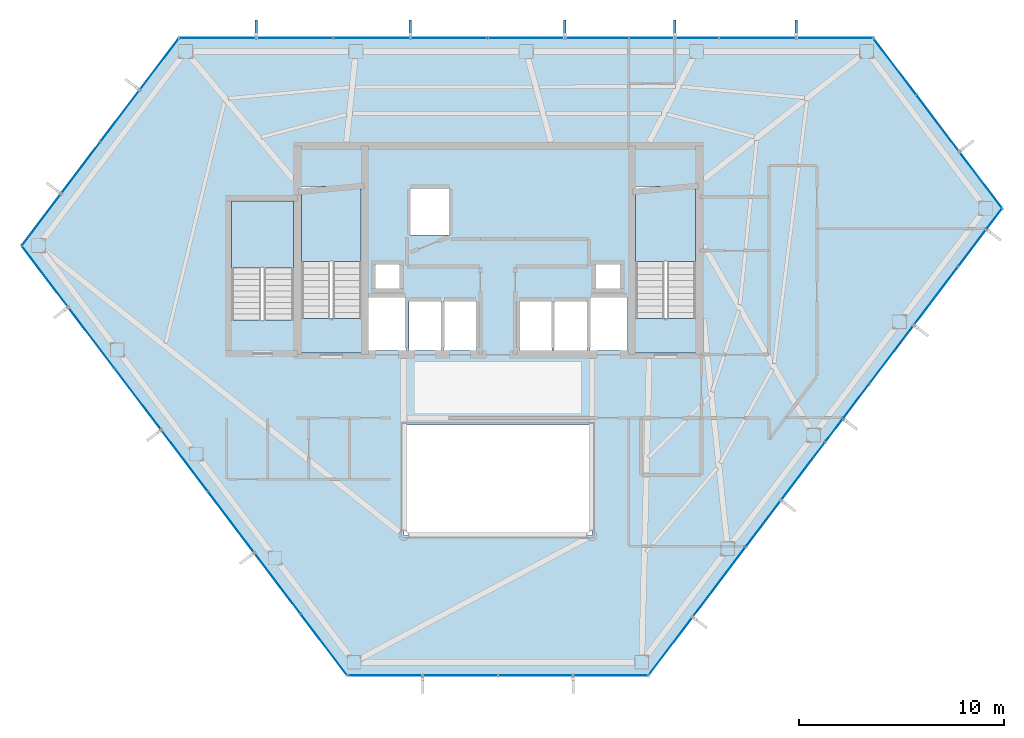
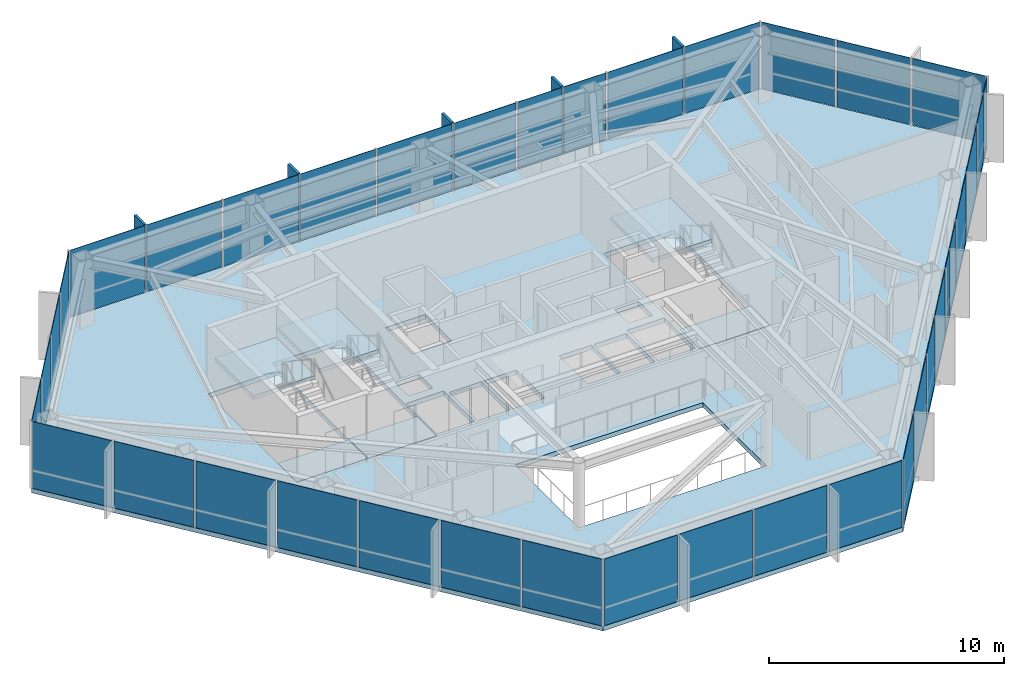
# One storey, part 23 of 27: 38 plates, 7 slabs, 5 members, 9 elements without a shape of their own.
"""IFC4 building model written with IfcOpenShell, lengths in metres."""

from ifc_helpers import new_model, si_unit, direction, frame, origin, origin_2d, place, context, subcontext, project, spatial, polyline, rectangle, outline, extrude, material, layer, layer_set, material_profile, profile_set, type_object, element, aggregate, save


model = new_model("IFC4")

# Units and contexts
model_context = context("Model", 3, precision=1e-05, world=origin(), true_north=direction((0.0, 1.0)))
body_context = subcontext(model_context, "Body", "Model", "MODEL_VIEW")
ifc_project = project(units=[si_unit("LENGTHUNIT", "METRE"), si_unit("AREAUNIT", "SQUARE_METRE"), si_unit("VOLUMEUNIT", "CUBIC_METRE"), si_unit("PLANEANGLEUNIT", "RADIAN"), si_unit("MASSUNIT", "GRAM", prefix="KILO")], contexts=[model_context])

# Site, building, storey
site_placement = place(None, origin())
site = spatial("IfcSite", under=ifc_project, at=site_placement, CompositionType="ELEMENT")
building_placement = place(site_placement, origin())
building = spatial("IfcBuilding", under=site, at=building_placement, Name="Zarrinselat Tower", CompositionType="ELEMENT")
storey_placement = place(building_placement, frame((0.0, 0.0, 179.52001953125)))
storey = spatial("IfcBuildingStorey", under=building, at=storey_placement, Name="L44", CompositionType="ELEMENT", Elevation=179.52001953125)

# Curtain wall, members, plates
ifc_material_1 = material(Name="Extruded Aluminium Alloy EN AW-6063 T6", Category="aluminium")
ifc_layer_1 = layer(ifc_material_1, 0.175048828125)
ifc_layer_set_1 = layer_set([ifc_layer_1], Name="Extruded Aluminium Alloy EN AW-6063 T6")
curtain_wall_type = type_object("IfcCurtainWallType", Name="CWS-HTL", PredefinedType="NOTDEFINED", material=ifc_layer_set_1)
curtain_wall_1_placement = place(storey_placement, origin())
curtain_wall_1 = element("IfcCurtainWall", 1, at=curtain_wall_1_placement, inside=storey, type_object=curtain_wall_type, Name="L44 Unitised Curtain Wall CW-L44-E01", PredefinedType="NOTDEFINED")
ifc_material_2 = material(Name="Honed Cream Travertine Stone", Category="masonry")
ifc_material_profile = material_profile(ifc_material_2, rectangle(XDim=0.1201171875, YDim=0.85009765625, at=origin_2d()), Name="FIN 850x120")
ifc_profile_set = profile_set([ifc_material_profile], Name="Honed Cream Travertine Stone")
member_type = type_object("IfcMemberType", Name="MEM-STONE-FIN", PredefinedType="USERDEFINED", material=ifc_profile_set)
member_1_placement = place(storey_placement, frame((52.98681640625, 49.18212890625, 0.0), z_axis=(0.0, 0.0, 1.0), x_axis=(1.0, 0.0, 0.0)))
member_1 = element("IfcMember", 2, at=member_1_placement, type_object=member_type, Name="L44 Stone Shading Fin CW-L44-E01-01", ObjectType="FIN", PredefinedType="USERDEFINED", context=body_context, shape_type="SweptSolid", body=[
    extrude(rectangle(XDim=0.1201171875, YDim=0.85009765625, at=origin_2d()), origin(), (0.0, 0.0, 1.0), 3.5),
])
member_2_placement = place(storey_placement, frame((47.050048828125, 49.18212890625, 0.0), z_axis=(0.0, 0.0, 1.0), x_axis=(1.0, 0.0, 0.0)))
member_2 = element("IfcMember", 3, at=member_2_placement, type_object=member_type, Name="L44 Stone Shading Fin CW-L44-E01-03", ObjectType="FIN", PredefinedType="USERDEFINED", context=body_context, shape_type="SweptSolid", body=[
    extrude(rectangle(XDim=0.1201171875, YDim=0.85009765625, at=origin_2d()), origin(), (0.0, 0.0, 1.0), 3.5),
])
member_3_placement = place(storey_placement, frame((41.67041015625, 49.18212890625, 0.0), z_axis=(0.0, 0.0, 1.0), x_axis=(1.0, 0.0, 0.0)))
member_3 = element("IfcMember", 4, at=member_3_placement, type_object=member_type, Name="L44 Stone Shading Fin CW-L44-E01-05", ObjectType="FIN", PredefinedType="USERDEFINED", context=body_context, shape_type="SweptSolid", body=[
    extrude(rectangle(XDim=0.1201171875, YDim=0.85009765625, at=origin_2d()), origin(), (0.0, 0.0, 1.0), 3.5),
])
member_4_placement = place(storey_placement, frame((34.126220703125, 49.18212890625, 0.0), z_axis=(0.0, 0.0, 1.0), x_axis=(1.0, 0.0, 0.0)))
member_4 = element("IfcMember", 5, at=member_4_placement, type_object=member_type, Name="L44 Stone Shading Fin CW-L44-E01-07", ObjectType="FIN", PredefinedType="USERDEFINED", context=body_context, shape_type="SweptSolid", body=[
    extrude(rectangle(XDim=0.1201171875, YDim=0.85009765625, at=origin_2d()), origin(), (0.0, 0.0, 1.0), 3.5),
])
member_5_placement = place(storey_placement, frame((26.58203125, 49.18212890625, 0.0), z_axis=(0.0, 0.0, 1.0), x_axis=(1.0, 0.0, 0.0)))
member_5 = element("IfcMember", 6, at=member_5_placement, type_object=member_type, Name="L44 Stone Shading Fin CW-L44-E01-09", ObjectType="FIN", PredefinedType="USERDEFINED", context=body_context, shape_type="SweptSolid", body=[
    extrude(rectangle(XDim=0.1201171875, YDim=0.85009765625, at=origin_2d()), origin(), (0.0, 0.0, 1.0), 3.5),
])
ifc_material_3 = material(Name="Double Low-E Laminated Solar Glass", Category="glass")
ifc_layer_2 = layer(ifc_material_3, 0.028076171875)
ifc_layer_set_2 = layer_set([ifc_layer_2], Name="Double Low-E Laminated Solar Glass")
plate_type = type_object("IfcPlateType", Name="PLT-CW-GL28", PredefinedType="CURTAIN_PANEL", material=ifc_layer_set_2)
plate_1_placement = place(storey_placement, frame((54.872802734375, 48.72216796875, 0.02001953125), z_axis=(0.0, 0.0, 1.0), x_axis=(-1.0, 0.0, 0.0)))
plate_1 = element("IfcPlate", 7, at=plate_1_placement, type_object=plate_type, Name="CW-L44-E01 Vision Glass Panel 1", PredefinedType="CURTAIN_PANEL", context=body_context, shape_type="SweptSolid", body=[
    extrude(rectangle(XDim=3.672119140625, YDim=0.028076171875, at=origin_2d()), origin(), (0.0, 0.0, 1.0), 3.4599609375),
])
plate_2_placement = place(storey_placement, frame((51.1005859375, 48.72216796875, 0.02001953125), z_axis=(0.0, 0.0, 1.0), x_axis=(-1.0, 0.0, 0.0)))
plate_2 = element("IfcPlate", 8, at=plate_2_placement, type_object=plate_type, Name="CW-L44-E01 Vision Glass Panel 2", PredefinedType="CURTAIN_PANEL", context=body_context, shape_type="SweptSolid", body=[
    extrude(rectangle(XDim=3.672119140625, YDim=0.028076171875, at=origin_2d()), origin(), (0.0, 0.0, 1.0), 3.4599609375),
])
plate_3_placement = place(storey_placement, frame((48.13232421875, 48.72216796875, 0.02001953125), z_axis=(0.0, 0.0, 1.0), x_axis=(-1.0, 0.0, 0.0)))
plate_3 = element("IfcPlate", 9, at=plate_3_placement, type_object=plate_type, Name="CW-L44-E01 Vision Glass Panel 3", PredefinedType="CURTAIN_PANEL", context=body_context, shape_type="SweptSolid", body=[
    extrude(rectangle(XDim=2.064697265625, YDim=0.028076171875, at=origin_2d()), origin(), (0.0, 0.0, 1.0), 3.4599609375),
])
plate_4_placement = place(storey_placement, frame((45.925048828125, 48.72216796875, 0.02001953125), z_axis=(0.0, 0.0, 1.0), x_axis=(-1.0, 0.0, 0.0)))
plate_4 = element("IfcPlate", 10, at=plate_4_placement, type_object=plate_type, Name="CW-L44-E01 Vision Glass Panel 4", PredefinedType="CURTAIN_PANEL", context=body_context, shape_type="SweptSolid", body=[
    extrude(rectangle(XDim=2.14990234375, YDim=0.028076171875, at=origin_2d()), origin(), (0.0, 0.0, 1.0), 3.4599609375),
])
plate_5_placement = place(storey_placement, frame((43.235107421875, 48.72216796875, 0.02001953125), z_axis=(0.0, 0.0, 1.0), x_axis=(-1.0, 0.0, 0.0)))
plate_5 = element("IfcPlate", 11, at=plate_5_placement, type_object=plate_type, Name="CW-L44-E01 Vision Glass Panel 5", PredefinedType="CURTAIN_PANEL", context=body_context, shape_type="SweptSolid", body=[
    extrude(rectangle(XDim=3.029541015625, YDim=0.028076171875, at=origin_2d()), origin(), (0.0, 0.0, 1.0), 3.4599609375),
])
plate_6_placement = place(storey_placement, frame((39.784423828125, 48.72216796875, 0.02001953125), z_axis=(0.0, 0.0, 1.0), x_axis=(-1.0, 0.0, 0.0)))
plate_6 = element("IfcPlate", 12, at=plate_6_placement, type_object=plate_type, Name="CW-L44-E01 Vision Glass Panel 6", PredefinedType="CURTAIN_PANEL", context=body_context, shape_type="SweptSolid", body=[
    extrude(rectangle(XDim=3.672119140625, YDim=0.028076171875, at=origin_2d()), origin(), (0.0, 0.0, 1.0), 3.4599609375),
])
plate_7_placement = place(storey_placement, frame((36.01220703125, 48.72216796875, 0.02001953125), z_axis=(0.0, 0.0, 1.0), x_axis=(-1.0, 0.0, 0.0)))
plate_7 = element("IfcPlate", 13, at=plate_7_placement, type_object=plate_type, Name="CW-L44-E01 Vision Glass Panel 7", PredefinedType="CURTAIN_PANEL", context=body_context, shape_type="SweptSolid", body=[
    extrude(rectangle(XDim=3.672119140625, YDim=0.028076171875, at=origin_2d()), origin(), (0.0, 0.0, 1.0), 3.4599609375),
])
plate_8_placement = place(storey_placement, frame((32.239990234375, 48.72216796875, 0.02001953125), z_axis=(0.0, 0.0, 1.0), x_axis=(-1.0, 0.0, 0.0)))
plate_8 = element("IfcPlate", 14, at=plate_8_placement, type_object=plate_type, Name="CW-L44-E01 Vision Glass Panel 8", PredefinedType="CURTAIN_PANEL", context=body_context, shape_type="SweptSolid", body=[
    extrude(rectangle(XDim=3.672119140625, YDim=0.028076171875, at=origin_2d()), origin(), (0.0, 0.0, 1.0), 3.4599609375),
])
plate_9_placement = place(storey_placement, frame((28.468017578125, 48.72216796875, 0.02001953125), z_axis=(0.0, 0.0, 1.0), x_axis=(-1.0, 0.0, 0.0)))
plate_9 = element("IfcPlate", 15, at=plate_9_placement, type_object=plate_type, Name="CW-L44-E01 Vision Glass Panel 9", PredefinedType="CURTAIN_PANEL", context=body_context, shape_type="SweptSolid", body=[
    extrude(rectangle(XDim=3.672119140625, YDim=0.028076171875, at=origin_2d()), origin(), (0.0, 0.0, 1.0), 3.4599609375),
])
plate_10_placement = place(storey_placement, frame((24.696044921875, 48.72216796875, 0.02001953125), z_axis=(0.0, 0.0, 1.0), x_axis=(-1.0, 0.0, 0.0)))
plate_10 = element("IfcPlate", 16, at=plate_10_placement, type_object=plate_type, Name="CW-L44-E01 Vision Glass Panel 10", PredefinedType="CURTAIN_PANEL", context=body_context, shape_type="SweptSolid", body=[
    extrude(rectangle(XDim=3.672119140625, YDim=0.028076171875, at=origin_2d()), origin(), (0.0, 0.0, 1.0), 3.4599609375),
])
aggregate(curtain_wall_1, [member_1, member_2, member_3, member_4, member_5, plate_1, plate_2, plate_3, plate_4, plate_5, plate_6, plate_7, plate_8, plate_9, plate_10])

# Curtain wall, plates
curtain_wall_2_placement = place(storey_placement, origin())
curtain_wall_2 = element("IfcCurtainWall", 17, at=curtain_wall_2_placement, inside=storey, type_object=curtain_wall_type, Name="L44 Unitised Curtain Wall CW-L44-E02", PredefinedType="NOTDEFINED")
plate_11_placement = place(storey_placement, frame((21.8486328125, 47.453369140625, 0.02001953125), z_axis=(0.0, 0.0, 1.0), x_axis=(-0.603859048702, -0.797091117314, 0.0)))
plate_11 = element("IfcPlate", 18, at=plate_11_placement, type_object=plate_type, Name="CW-L44-E02 Vision Glass Panel 1", PredefinedType="CURTAIN_PANEL", context=body_context, shape_type="SweptSolid", body=[
    extrude(rectangle(XDim=3.08349609375, YDim=0.028076171875, at=origin_2d()), origin(), (0.0, 0.0, 1.0), 3.4599609375),
])
plate_12_placement = place(storey_placement, frame((19.92626953125, 44.915771484375, 0.02001953125), z_axis=(0.0, 0.0, 1.0), x_axis=(-0.603859048702, -0.797091117314, 0.0)))
plate_12 = element("IfcPlate", 19, at=plate_12_placement, type_object=plate_type, Name="CW-L44-E02 Vision Glass Panel 2", PredefinedType="CURTAIN_PANEL", context=body_context, shape_type="SweptSolid", body=[
    extrude(rectangle(XDim=3.08349609375, YDim=0.028076171875, at=origin_2d()), origin(), (0.0, 0.0, 1.0), 3.4599609375),
])
plate_13_placement = place(storey_placement, frame((18.00390625, 42.378173828125, 0.02001953125), z_axis=(0.0, 0.0, 1.0), x_axis=(-0.603859048702, -0.797091117314, 0.0)))
plate_13 = element("IfcPlate", 20, at=plate_13_placement, type_object=plate_type, Name="CW-L44-E02 Vision Glass Panel 3", PredefinedType="CURTAIN_PANEL", context=body_context, shape_type="SweptSolid", body=[
    extrude(rectangle(XDim=3.08349609375, YDim=0.028076171875, at=origin_2d()), origin(), (0.0, 0.0, 1.0), 3.4599609375),
])
plate_14_placement = place(storey_placement, frame((16.081298828125, 39.840576171875, 0.02001953125), z_axis=(0.0, 0.0, 1.0), x_axis=(-0.603859048702, -0.797091117314, 0.0)))
plate_14 = element("IfcPlate", 21, at=plate_14_placement, type_object=plate_type, Name="CW-L44-E02 Vision Glass Panel 4", PredefinedType="CURTAIN_PANEL", context=body_context, shape_type="SweptSolid", body=[
    extrude(rectangle(XDim=3.08349609375, YDim=0.028076171875, at=origin_2d()), origin(), (0.0, 0.0, 1.0), 3.4599609375),
])
aggregate(curtain_wall_2, [plate_11, plate_12, plate_13, plate_14])

curtain_wall_3_placement = place(storey_placement, origin())
curtain_wall_3 = element("IfcCurtainWall", 22, at=curtain_wall_3_placement, inside=storey, type_object=curtain_wall_type, Name="L44 Unitised Curtain Wall CW-L44-E03", PredefinedType="NOTDEFINED")
plate_15_placement = place(storey_placement, frame((16.25732421875, 37.070556640625, 0.02001953125), z_axis=(0.0, 0.0, 1.0), x_axis=(0.603857322892, -0.797092424748, 0.0)))
plate_15 = element("IfcPlate", 23, at=plate_15_placement, type_object=plate_type, Name="CW-L44-E03 Vision Glass Panel 1", PredefinedType="CURTAIN_PANEL", context=body_context, shape_type="SweptSolid", body=[
    extrude(rectangle(XDim=3.66650390625, YDim=0.028076171875, at=origin_2d()), origin(), (0.0, 0.0, 1.0), 3.4599609375),
])
plate_16_placement = place(storey_placement, frame((18.53173828125, 34.068115234375, 0.02001953125), z_axis=(0.0, 0.0, 1.0), x_axis=(0.603857322892, -0.797092424748, 0.0)))
plate_16 = element("IfcPlate", 24, at=plate_16_placement, type_object=plate_type, Name="CW-L44-E03 Vision Glass Panel 2", PredefinedType="CURTAIN_PANEL", context=body_context, shape_type="SweptSolid", body=[
    extrude(rectangle(XDim=3.66650390625, YDim=0.028076171875, at=origin_2d()), origin(), (0.0, 0.0, 1.0), 3.4599609375),
])
plate_17_placement = place(storey_placement, frame((20.806396484375, 31.06591796875, 0.02001953125), z_axis=(0.0, 0.0, 1.0), x_axis=(0.603857322892, -0.797092424748, 0.0)))
plate_17 = element("IfcPlate", 25, at=plate_17_placement, type_object=plate_type, Name="CW-L44-E03 Vision Glass Panel 3", PredefinedType="CURTAIN_PANEL", context=body_context, shape_type="SweptSolid", body=[
    extrude(rectangle(XDim=3.66650390625, YDim=0.028076171875, at=origin_2d()), origin(), (0.0, 0.0, 1.0), 3.4599609375),
])
plate_18_placement = place(storey_placement, frame((23.080810546875, 28.0634765625, 0.02001953125), z_axis=(0.0, 0.0, 1.0), x_axis=(0.603857322892, -0.797092424748, 0.0)))
plate_18 = element("IfcPlate", 26, at=plate_18_placement, type_object=plate_type, Name="CW-L44-E03 Vision Glass Panel 4", PredefinedType="CURTAIN_PANEL", context=body_context, shape_type="SweptSolid", body=[
    extrude(rectangle(XDim=3.66650390625, YDim=0.028076171875, at=origin_2d()), origin(), (0.0, 0.0, 1.0), 3.4599609375),
])
plate_19_placement = place(storey_placement, frame((25.355224609375, 25.061279296875, 0.02001953125), z_axis=(0.0, 0.0, 1.0), x_axis=(0.603857322892, -0.797092424748, 0.0)))
plate_19 = element("IfcPlate", 27, at=plate_19_placement, type_object=plate_type, Name="CW-L44-E03 Vision Glass Panel 5", PredefinedType="CURTAIN_PANEL", context=body_context, shape_type="SweptSolid", body=[
    extrude(rectangle(XDim=3.66650390625, YDim=0.028076171875, at=origin_2d()), origin(), (0.0, 0.0, 1.0), 3.4599609375),
])
plate_20_placement = place(storey_placement, frame((27.6298828125, 22.058837890625, 0.02001953125), z_axis=(0.0, 0.0, 1.0), x_axis=(0.603857322892, -0.797092424748, 0.0)))
plate_20 = element("IfcPlate", 28, at=plate_20_placement, type_object=plate_type, Name="CW-L44-E03 Vision Glass Panel 6", PredefinedType="CURTAIN_PANEL", context=body_context, shape_type="SweptSolid", body=[
    extrude(rectangle(XDim=3.66650390625, YDim=0.028076171875, at=origin_2d()), origin(), (0.0, 0.0, 1.0), 3.4599609375),
])
plate_21_placement = place(storey_placement, frame((29.904296875, 19.056396484375, 0.02001953125), z_axis=(0.0, 0.0, 1.0), x_axis=(0.603857322892, -0.797092424748, 0.0)))
plate_21 = element("IfcPlate", 29, at=plate_21_placement, type_object=plate_type, Name="CW-L44-E03 Vision Glass Panel 7", PredefinedType="CURTAIN_PANEL", context=body_context, shape_type="SweptSolid", body=[
    extrude(rectangle(XDim=3.66650390625, YDim=0.028076171875, at=origin_2d()), origin(), (0.0, 0.0, 1.0), 3.4599609375),
])
aggregate(curtain_wall_3, [plate_15, plate_16, plate_17, plate_18, plate_19, plate_20, plate_21])

curtain_wall_4_placement = place(storey_placement, origin())
curtain_wall_4 = element("IfcCurtainWall", 30, at=curtain_wall_4_placement, inside=storey, type_object=curtain_wall_type, Name="L44 Unitised Curtain Wall CW-L44-E04", PredefinedType="NOTDEFINED")
plate_22_placement = place(storey_placement, frame((32.881103515625, 17.555419921875, 0.02001953125), z_axis=(0.0, 0.0, 1.0), x_axis=(1.0, 0.0, 0.0)))
plate_22 = element("IfcPlate", 31, at=plate_22_placement, type_object=plate_type, Name="CW-L44-E04 Vision Glass Panel 1", PredefinedType="CURTAIN_PANEL", context=body_context, shape_type="SweptSolid", body=[
    extrude(rectangle(XDim=3.5791015625, YDim=0.028076171875, at=origin_2d()), origin(), (0.0, 0.0, 1.0), 3.4599609375),
])
plate_23_placement = place(storey_placement, frame((36.560302734375, 17.555419921875, 0.02001953125), z_axis=(0.0, 0.0, 1.0), x_axis=(1.0, 0.0, 0.0)))
plate_23 = element("IfcPlate", 32, at=plate_23_placement, type_object=plate_type, Name="CW-L44-E04 Vision Glass Panel 2", PredefinedType="CURTAIN_PANEL", context=body_context, shape_type="SweptSolid", body=[
    extrude(rectangle(XDim=3.5791015625, YDim=0.028076171875, at=origin_2d()), origin(), (0.0, 0.0, 1.0), 3.4599609375),
])
plate_24_placement = place(storey_placement, frame((40.239501953125, 17.555419921875, 0.02001953125), z_axis=(0.0, 0.0, 1.0), x_axis=(1.0, 0.0, 0.0)))
plate_24 = element("IfcPlate", 33, at=plate_24_placement, type_object=plate_type, Name="CW-L44-E04 Vision Glass Panel 3", PredefinedType="CURTAIN_PANEL", context=body_context, shape_type="SweptSolid", body=[
    extrude(rectangle(XDim=3.5791015625, YDim=0.028076171875, at=origin_2d()), origin(), (0.0, 0.0, 1.0), 3.4599609375),
])
plate_25_placement = place(storey_placement, frame((43.918701171875, 17.555419921875, 0.02001953125), z_axis=(0.0, 0.0, 1.0), x_axis=(1.0, 0.0, 0.0)))
plate_25 = element("IfcPlate", 34, at=plate_25_placement, type_object=plate_type, Name="CW-L44-E04 Vision Glass Panel 4", PredefinedType="CURTAIN_PANEL", context=body_context, shape_type="SweptSolid", body=[
    extrude(rectangle(XDim=3.5791015625, YDim=0.028076171875, at=origin_2d()), origin(), (0.0, 0.0, 1.0), 3.4599609375),
])
aggregate(curtain_wall_4, [plate_22, plate_23, plate_24, plate_25])

curtain_wall_5_placement = place(storey_placement, origin())
curtain_wall_5 = element("IfcCurtainWall", 35, at=curtain_wall_5_placement, inside=storey, type_object=curtain_wall_type, Name="L44 Unitised Curtain Wall CW-L44-E05", PredefinedType="NOTDEFINED")
plate_26_placement = place(storey_placement, frame((46.840087890625, 18.98291015625, 0.02001953125), z_axis=(0.0, 0.0, 1.0), x_axis=(0.603859165965, 0.797091028478, 0.0)))
plate_26 = element("IfcPlate", 36, at=plate_26_placement, type_object=plate_type, Name="CW-L44-E05 Vision Glass Panel 1", PredefinedType="CURTAIN_PANEL", context=body_context, shape_type="SweptSolid", body=[
    extrude(rectangle(XDim=3.482421875, YDim=0.028076171875, at=origin_2d()), origin(), (0.0, 0.0, 1.0), 3.4599609375),
])
plate_27_placement = place(storey_placement, frame((49.222900390625, 22.128662109375, 0.02001953125), z_axis=(0.0, 0.0, 1.0), x_axis=(0.603859165965, 0.797091028478, 0.0)))
plate_27 = element("IfcPlate", 37, at=plate_27_placement, type_object=plate_type, Name="CW-L44-E05 Vision Glass Panel 2", PredefinedType="CURTAIN_PANEL", context=body_context, shape_type="SweptSolid", body=[
    extrude(rectangle(XDim=4.210205078125, YDim=0.028076171875, at=origin_2d()), origin(), (0.0, 0.0, 1.0), 3.4599609375),
])
plate_28_placement = place(storey_placement, frame((51.38623046875, 24.98388671875, 0.02001953125), z_axis=(0.0, 0.0, 1.0), x_axis=(0.603859165965, 0.797091028478, 0.0)))
plate_28 = element("IfcPlate", 38, at=plate_28_placement, type_object=plate_type, Name="CW-L44-E05 Vision Glass Panel 3", PredefinedType="CURTAIN_PANEL", context=body_context, shape_type="SweptSolid", body=[
    extrude(rectangle(XDim=2.75439453125, YDim=0.028076171875, at=origin_2d()), origin(), (0.0, 0.0, 1.0), 3.4599609375),
])
plate_29_placement = place(storey_placement, frame((53.32958984375, 27.54931640625, 0.02001953125), z_axis=(0.0, 0.0, 1.0), x_axis=(0.603859165965, 0.797091028478, 0.0)))
plate_29 = element("IfcPlate", 39, at=plate_29_placement, type_object=plate_type, Name="CW-L44-E05 Vision Glass Panel 4", PredefinedType="CURTAIN_PANEL", context=body_context, shape_type="SweptSolid", body=[
    extrude(rectangle(XDim=3.482421875, YDim=0.028076171875, at=origin_2d()), origin(), (0.0, 0.0, 1.0), 3.4599609375),
])
plate_30_placement = place(storey_placement, frame((54.841796875, 29.54541015625, 0.02001953125), z_axis=(0.0, 0.0, 1.0), x_axis=(0.603859165965, 0.797091028478, 0.0)))
plate_30 = element("IfcPlate", 40, at=plate_30_placement, type_object=plate_type, Name="CW-L44-E05 Vision Glass Panel 5", PredefinedType="CURTAIN_PANEL", context=body_context, shape_type="SweptSolid", body=[
    extrude(rectangle(XDim=1.325927734375, YDim=0.028076171875, at=origin_2d()), origin(), (0.0, 0.0, 1.0), 3.4599609375),
])
plate_31_placement = place(storey_placement, frame((55.923583984375, 30.97314453125, 0.02001953125), z_axis=(0.0, 0.0, 1.0), x_axis=(0.603859165965, 0.797091028478, 0.0)))
plate_31 = element("IfcPlate", 41, at=plate_31_placement, type_object=plate_type, Name="CW-L44-E05 Vision Glass Panel 6", PredefinedType="CURTAIN_PANEL", context=body_context, shape_type="SweptSolid", body=[
    extrude(rectangle(XDim=2.056396484375, YDim=0.028076171875, at=origin_2d()), origin(), (0.0, 0.0, 1.0), 3.4599609375),
])
plate_32_placement = place(storey_placement, frame((57.65625, 33.26025390625, 0.02001953125), z_axis=(0.0, 0.0, 1.0), x_axis=(0.603859165965, 0.797091028478, 0.0)))
plate_32 = element("IfcPlate", 42, at=plate_32_placement, type_object=plate_type, Name="CW-L44-E05 Vision Glass Panel 7", PredefinedType="CURTAIN_PANEL", context=body_context, shape_type="SweptSolid", body=[
    extrude(rectangle(XDim=3.482421875, YDim=0.028076171875, at=origin_2d()), origin(), (0.0, 0.0, 1.0), 3.4599609375),
])
plate_33_placement = place(storey_placement, frame((59.8193359375, 36.11572265625, 0.02001953125), z_axis=(0.0, 0.0, 1.0), x_axis=(0.603859165965, 0.797091028478, 0.0)))
plate_33 = element("IfcPlate", 43, at=plate_33_placement, type_object=plate_type, Name="CW-L44-E05 Vision Glass Panel 8", PredefinedType="CURTAIN_PANEL", context=body_context, shape_type="SweptSolid", body=[
    extrude(rectangle(XDim=3.482421875, YDim=0.028076171875, at=origin_2d()), origin(), (0.0, 0.0, 1.0), 3.4599609375),
])
plate_34_placement = place(storey_placement, frame((61.593017578125, 38.456787109375, 0.02001953125), z_axis=(0.0, 0.0, 1.0), x_axis=(0.603859165965, 0.797091028478, 0.0)))
plate_34 = element("IfcPlate", 44, at=plate_34_placement, type_object=plate_type, Name="CW-L44-E05 Vision Glass Panel 9", PredefinedType="CURTAIN_PANEL", context=body_context, shape_type="SweptSolid", body=[
    extrude(rectangle(XDim=2.191162109375, YDim=0.028076171875, at=origin_2d()), origin(), (0.0, 0.0, 1.0), 3.4599609375),
])
plate_35_placement = place(storey_placement, frame((62.674560546875, 39.884521484375, 0.02001953125), z_axis=(0.0, 0.0, 1.0), x_axis=(0.603859165965, 0.797091028478, 0.0)))
plate_35 = element("IfcPlate", 45, at=plate_35_placement, type_object=plate_type, Name="CW-L44-E05 Vision Glass Panel 10", PredefinedType="CURTAIN_PANEL", context=body_context, shape_type="SweptSolid", body=[
    extrude(rectangle(XDim=1.191162109375, YDim=0.028076171875, at=origin_2d()), origin(), (0.0, 0.0, 1.0), 3.4599609375),
])
aggregate(curtain_wall_5, [plate_26, plate_27, plate_28, plate_29, plate_30, plate_31, plate_32, plate_33, plate_34, plate_35])

curtain_wall_6_placement = place(storey_placement, origin())
curtain_wall_6 = element("IfcCurtainWall", 46, at=curtain_wall_6_placement, inside=storey, type_object=curtain_wall_type, Name="L44 Unitised Curtain Wall CW-L44-E06", PredefinedType="NOTDEFINED")
plate_36_placement = place(storey_placement, frame((62.013427734375, 41.7861328125, 0.02001953125), z_axis=(0.0, 0.0, 1.0), x_axis=(-0.603860453729, 0.797090052893, 0.0)))
plate_36 = element("IfcPlate", 47, at=plate_36_placement, type_object=plate_type, Name="CW-L44-E06 Vision Glass Panel 1", PredefinedType="CURTAIN_PANEL", context=body_context, shape_type="SweptSolid", body=[
    extrude(rectangle(XDim=3.380615234375, YDim=0.028076171875, at=origin_2d()), origin(), (0.0, 0.0, 1.0), 3.4599609375),
])
plate_37_placement = place(storey_placement, frame((59.91162109375, 44.560546875, 0.02001953125), z_axis=(0.0, 0.0, 1.0), x_axis=(-0.603860453729, 0.797090052893, 0.0)))
plate_37 = element("IfcPlate", 48, at=plate_37_placement, type_object=plate_type, Name="CW-L44-E06 Vision Glass Panel 2", PredefinedType="CURTAIN_PANEL", context=body_context, shape_type="SweptSolid", body=[
    extrude(rectangle(XDim=3.380615234375, YDim=0.028076171875, at=origin_2d()), origin(), (0.0, 0.0, 1.0), 3.4599609375),
])
plate_38_placement = place(storey_placement, frame((57.809814453125, 47.3349609375, 0.02001953125), z_axis=(0.0, 0.0, 1.0), x_axis=(-0.603860453729, 0.797090052893, 0.0)))
plate_38 = element("IfcPlate", 49, at=plate_38_placement, type_object=plate_type, Name="CW-L44-E06 Vision Glass Panel 3", PredefinedType="CURTAIN_PANEL", context=body_context, shape_type="SweptSolid", body=[
    extrude(rectangle(XDim=3.380615234375, YDim=0.028076171875, at=origin_2d()), origin(), (0.0, 0.0, 1.0), 3.4599609375),
])
aggregate(curtain_wall_6, [plate_36, plate_37, plate_38])

# Slabs
ifc_material_4 = material(Name="Concrete C40/50", Category="concrete")
ifc_layer_3 = layer(ifc_material_4, 0.239990234375)
ifc_layer_set_3 = layer_set([ifc_layer_3], Name="Concrete C40/50")
slab_type_1 = type_object("IfcSlabType", Name="SLB-FLOOR-240-SL-HT240", PredefinedType="FLOOR", material=ifc_layer_set_3)
slab_1_placement = place(storey_placement, frame((0.0, 0.0, -0.239990234375)))
element("IfcSlab", 50, at=slab_1_placement, inside=storey, type_object=slab_type_1, Name="L44 Primary Structural Slab", PredefinedType="FLOOR", context=body_context, shape_type="SweptSolid", body=[
    extrude(outline(polyline([(56.7587890625, 48.72216796875), (22.809814453125, 48.72216796875), (15.1201171875, 38.57177734375), (31.04150390625, 17.555419921875), (45.75830078125, 17.555419921875), (63.064208984375, 40.39892578125), (56.7587890625, 48.72216796875)]), holes=[polyline([(35.64990234375, 33.449951171875), (34.050048828125, 33.449951171875), (34.050048828125, 35.85009765625), (35.64990234375, 35.85009765625), (35.64990234375, 33.449951171875)]), polyline([(35.75, 33.449951171875), (35.75, 35.85009765625), (37.35009765625, 35.85009765625), (37.35009765625, 33.449951171875), (35.75, 33.449951171875)]), polyline([(32.06005859375, 33.449951171875), (32.06005859375, 36.050048828125), (33.89990234375, 36.050048828125), (33.89990234375, 33.449951171875), (32.06005859375, 33.449951171875)]), polyline([(33.60009765625, 36.47998046875), (32.419921875, 36.47998046875), (32.419921875, 37.639892578125), (33.60009765625, 37.639892578125), (33.60009765625, 36.47998046875)]), polyline([(28.594970703125, 33.324951171875), (25.114990234375, 33.324951171875), (25.114990234375, 40.875), (28.594970703125, 40.875), (28.594970703125, 33.324951171875)]), polyline([(31.985107421875, 33.324951171875), (28.60498046875, 33.324951171875), (28.60498046875, 41.47509765625), (31.985107421875, 41.47509765625), (31.985107421875, 33.324951171875)]), polyline([(36.050048828125, 39.10009765625), (34.10009765625, 39.10009765625), (34.10009765625, 41.35009765625), (36.050048828125, 41.35009765625), (36.050048828125, 39.10009765625)]), polyline([(33.800048828125, 24.39990234375), (33.800048828125, 29.800048828125), (43.0, 29.800048828125), (43.0, 24.39990234375), (33.800048828125, 24.39990234375)]), polyline([(39.449951171875, 33.449951171875), (39.449951171875, 35.85009765625), (41.050048828125, 35.85009765625), (41.050048828125, 33.449951171875), (39.449951171875, 33.449951171875)]), polyline([(41.14990234375, 33.449951171875), (41.14990234375, 35.85009765625), (42.75, 35.85009765625), (42.75, 33.449951171875), (41.14990234375, 33.449951171875)]), polyline([(42.89990234375, 33.449951171875), (42.89990234375, 36.050048828125), (44.739990234375, 36.050048828125), (44.739990234375, 33.449951171875), (42.89990234375, 33.449951171875)]), polyline([(43.199951171875, 36.47998046875), (43.199951171875, 37.639892578125), (44.3798828125, 37.639892578125), (44.3798828125, 36.47998046875), (43.199951171875, 36.47998046875)]), polyline([(48.324951171875, 33.324951171875), (44.875, 33.324951171875), (44.875, 41.47509765625), (48.324951171875, 41.47509765625), (48.324951171875, 33.324951171875)])]), origin(), (0.0, 0.0, 1.0), 0.239990234375),
])
slab_2_placement = place(storey_placement, frame((0.0, 0.0, -0.239990234375)))
element("IfcSlab", 51, at=slab_2_placement, inside=storey, type_object=slab_type_1, Name="L44 Stair ST-1-FL1 Structural Floor Landing", PredefinedType="FLOOR", context=body_context, shape_type="SweptSolid", body=[
    extrude(outline(polyline([(31.97998046875, 33.330078125), (31.97998046875, 35.0), (28.610107421875, 35.0), (28.610107421875, 33.330078125), (31.97998046875, 33.330078125)])), origin(), (0.0, 0.0, 1.0), 0.239990234375),
])
slab_3_placement = place(storey_placement, frame((0.0, 0.0, -0.239990234375)))
element("IfcSlab", 52, at=slab_3_placement, inside=storey, type_object=slab_type_1, Name="L44 Stair ST-2-FL1 Structural Floor Landing", PredefinedType="FLOOR", context=body_context, shape_type="SweptSolid", body=[
    extrude(outline(polyline([(48.320068359375, 33.330078125), (48.320068359375, 35.0), (44.8798828125, 35.0), (44.8798828125, 33.330078125), (48.320068359375, 33.330078125)])), origin(), (0.0, 0.0, 1.0), 0.239990234375),
])
slab_4_placement = place(storey_placement, frame((0.0, 0.0, -0.239990234375)))
element("IfcSlab", 53, at=slab_4_placement, inside=storey, type_object=slab_type_1, Name="L44 Stair ST-3-FL1 Structural Floor Landing", PredefinedType="FLOOR", context=body_context, shape_type="SweptSolid", body=[
    extrude(outline(polyline([(28.590087890625, 33.330078125), (28.590087890625, 34.949951171875), (25.1201171875, 34.949951171875), (25.1201171875, 33.330078125), (28.590087890625, 33.330078125)])), origin(), (0.0, 0.0, 1.0), 0.239990234375),
])

# Stair, slab
ifc_material_5 = material(Name="Concrete C40/50", Category="concrete")
stair_type_1 = type_object("IfcStairType", Name="STR-CORE-145", PredefinedType="HALF_TURN_STAIR", material=ifc_material_5)
stair_1_placement = place(storey_placement, origin())
stair_1 = element("IfcStair", 54, at=stair_1_placement, inside=storey, type_object=stair_type_1, Name="L44 Podium & Mid-Tower Exit Stair 3", PredefinedType="HALF_TURN_STAIR")
ifc_material_6 = material(Name="Concrete C40/50", Category="concrete")
ifc_layer_4 = layer(ifc_material_6, 0.1650390625)
ifc_layer_set_4 = layer_set([ifc_layer_4], Name="Concrete C40/50")
slab_type_2 = type_object("IfcSlabType", Name="SLB-LND-165", PredefinedType="LANDING", material=ifc_layer_set_4)
slab_5_placement = place(storey_placement, frame((0.0, 0.0, 1.669921875)))
slab_5 = element("IfcSlab", 55, at=slab_5_placement, type_object=slab_type_2, Name="ST-3 landing 1", PredefinedType="LANDING", context=body_context, shape_type="SweptSolid", body=[
    extrude(outline(polyline([(28.39990234375, 37.469970703125), (28.39990234375, 40.75), (25.3798828125, 40.75), (25.3798828125, 37.469970703125), (28.39990234375, 37.469970703125)])), origin(), (0.0, 0.0, 1.0), 0.199951171875),
])
aggregate(stair_1, [slab_5])

ifc_material_7 = material(Name="Concrete C40/50", Category="concrete")
stair_type_2 = type_object("IfcStairType", Name="STR-CORE-155", PredefinedType="HALF_TURN_STAIR", material=ifc_material_7)
stair_2_placement = place(storey_placement, origin())
stair_2 = element("IfcStair", 56, at=stair_2_placement, inside=storey, type_object=stair_type_2, Name="L44 Core Exit Stair 1", PredefinedType="HALF_TURN_STAIR")
ifc_material_8 = material(Name="Concrete C40/50", Category="concrete")
ifc_layer_5 = layer(ifc_material_8, 0.18994140625)
ifc_layer_set_5 = layer_set([ifc_layer_5], Name="Concrete C40/50")
slab_type_3 = type_object("IfcSlabType", Name="SLB-LND-190", PredefinedType="LANDING", material=ifc_layer_set_5)
slab_6_placement = place(storey_placement, frame((0.0, 0.0, 1.669921875)))
slab_6 = element("IfcSlab", 57, at=slab_6_placement, type_object=slab_type_3, Name="ST-1 landing 1", PredefinedType="LANDING", context=body_context, shape_type="SweptSolid", body=[
    extrude(outline(polyline([(31.719970703125, 37.7900390625), (31.719970703125, 41.35009765625), (28.800048828125, 41.35009765625), (28.800048828125, 37.7900390625), (31.719970703125, 37.7900390625)])), origin(), (0.0, 0.0, 1.0), 0.199951171875),
])
aggregate(stair_2, [slab_6])

stair_3_placement = place(storey_placement, origin())
stair_3 = element("IfcStair", 58, at=stair_3_placement, inside=storey, type_object=stair_type_2, Name="L44 Core Exit Stair 2", PredefinedType="HALF_TURN_STAIR")
slab_7_placement = place(storey_placement, frame((0.0, 0.0, 1.669921875)))
slab_7 = element("IfcSlab", 59, at=slab_7_placement, type_object=slab_type_3, Name="ST-2 landing 1", PredefinedType="LANDING", context=body_context, shape_type="SweptSolid", body=[
    extrude(outline(polyline([(48.06005859375, 37.7900390625), (48.06005859375, 41.35009765625), (45.139892578125, 41.35009765625), (45.139892578125, 37.7900390625), (48.06005859375, 37.7900390625)])), origin(), (0.0, 0.0, 1.0), 0.199951171875),
])
aggregate(stair_3, [slab_7])

save(model, "model.ifc")
